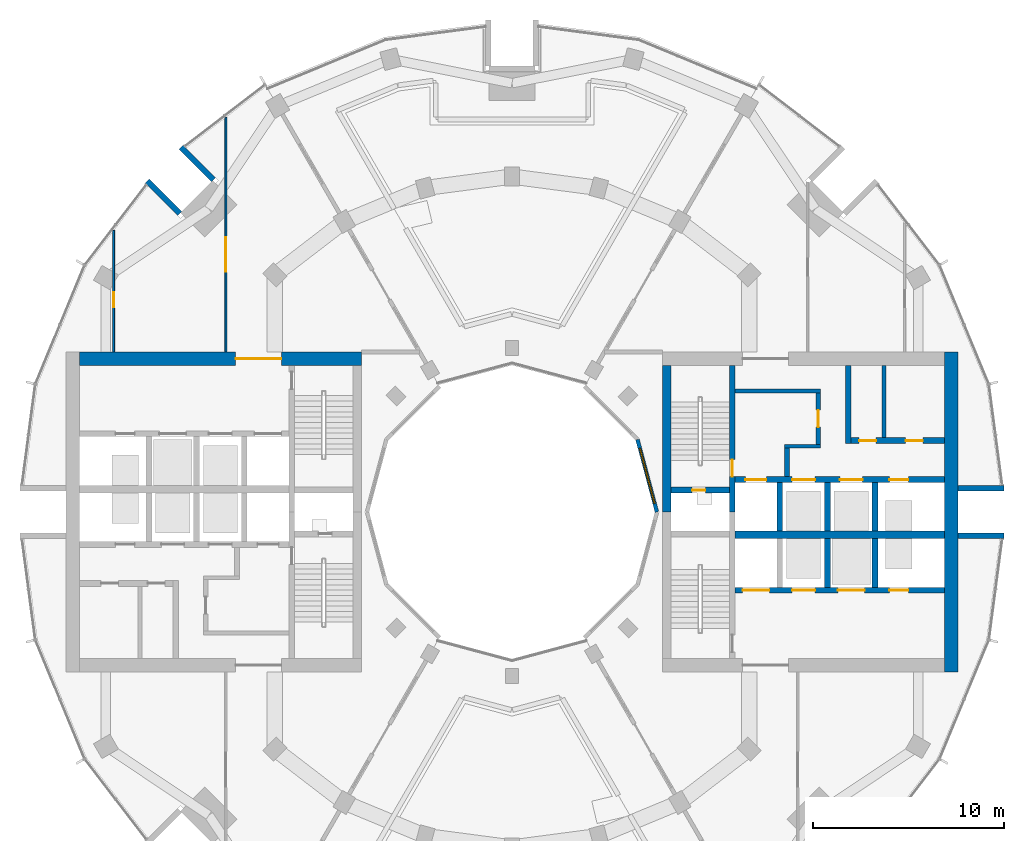
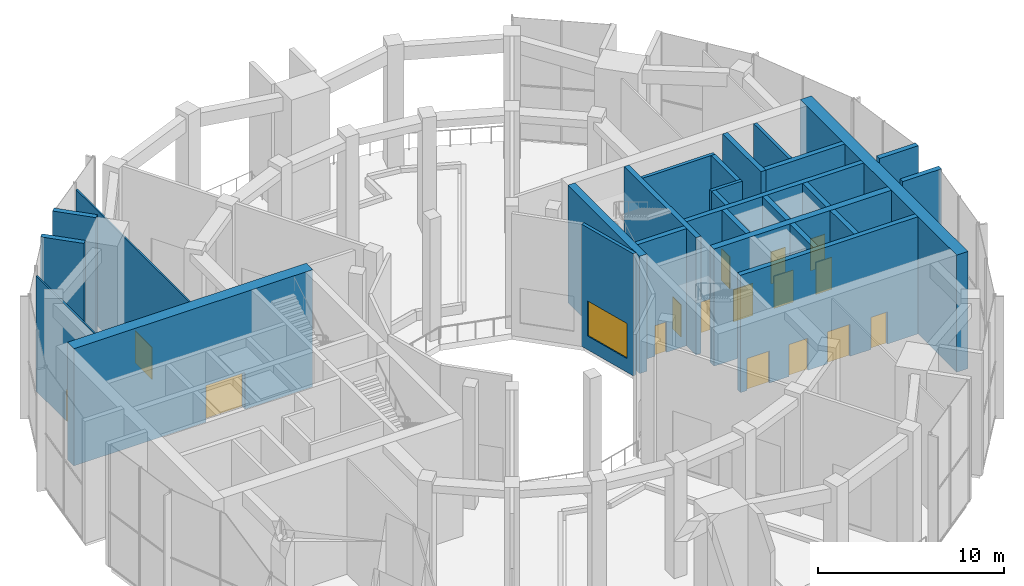
# One storey, part 13 of 18: 27 walls, 16 doors, 1 window, 17 openings.
"""IFC4 building model written with IfcOpenShell, lengths in metres."""

from ifc_helpers import new_model, si_unit, direction, frame, frame_2d, origin, place, context, subcontext, project, spatial, rectangle, extrude, material, layer, layer_set, type_object, element, fill, save


model = new_model("IFC4")

# Units and contexts
model_context = context("Model", 3, precision=1e-05, world=origin(), true_north=direction((0.0, 1.0)))
body_context = subcontext(model_context, "Body", "Model", "MODEL_VIEW")
ifc_project = project(units=[si_unit("LENGTHUNIT", "METRE"), si_unit("AREAUNIT", "SQUARE_METRE"), si_unit("VOLUMEUNIT", "CUBIC_METRE"), si_unit("PLANEANGLEUNIT", "RADIAN"), si_unit("MASSUNIT", "GRAM", prefix="KILO")], contexts=[model_context])

# Site, building, storey
site_placement = place(None, origin())
site = spatial("IfcSite", under=ifc_project, at=site_placement, CompositionType="ELEMENT")
building_placement = place(site_placement, origin())
building = spatial("IfcBuilding", under=site, at=building_placement, Name="Torre Brocal", CompositionType="ELEMENT")
storey_placement = place(building_placement, frame((0.0, 0.0, 149.699951171875)))
storey = spatial("IfcBuildingStorey", under=building, at=storey_placement, Name="L35", CompositionType="ELEMENT", Elevation=149.699951171875)

# Walls
ifc_material_1 = material(Name="Masonry block", Category="masonry")
ifc_layer_1 = layer(ifc_material_1, 0.199951171875)
ifc_layer_set_1 = layer_set([ifc_layer_1], Name="Masonry block")
wall_type_1 = type_object("IfcWallType", Name="CORE PARTITION 200", PredefinedType="PARTITIONING", material=ifc_layer_set_1)
wall_1_placement = place(storey_placement, frame((99.514892578125, 78.89990234375, 0.0), z_axis=(0.0, 0.0, 1.0), x_axis=(0.0, 1.0, 0.0)))
element("IfcWall", 1, at=wall_1_placement, inside=storey, type_object=wall_type_1, Name="Wall CP200", PredefinedType="PARTITIONING", context=body_context, shape_type="SweptSolid", body=[
    extrude(rectangle(XDim=3.800048828125, YDim=0.199951171875, at=frame_2d((1.89990234375, 0.0))), origin(), (0.0, 0.0, 1.0), 7.679931640625),
])
ifc_material_2 = material(Name="Concrete C70", Category="concrete")
ifc_layer_2 = layer(ifc_material_2, 0.199951171875)
ifc_layer_set_2 = layer_set([ifc_layer_2], Name="Concrete C70")
wall_type_2 = type_object("IfcWallType", Name="CORE WALL 200 C70", PredefinedType="SHEAR", material=ifc_layer_set_2)
wall_2_placement = place(storey_placement, frame((91.699951171875, 81.35009765625, 0.0), z_axis=(0.0, 0.0, 1.0), x_axis=(1.0, 0.0, 0.0)))
element("IfcWall", 2, at=wall_2_placement, inside=storey, type_object=wall_type_2, Name="Wall CW200-70", PredefinedType="SHEAR", context=body_context, shape_type="SweptSolid", body=[
    extrude(rectangle(XDim=4.5, YDim=0.199951171875, at=frame_2d((2.25, 0.0))), origin(), (0.0, 0.0, 1.0), 7.679931640625),
])
wall_3_placement = place(storey_placement, frame((94.300048828125, 78.449951171875, 0.0), z_axis=(0.0, 0.0, 1.0), x_axis=(1.0, 0.0, 0.0)))
element("IfcWall", 3, at=wall_3_placement, inside=storey, type_object=wall_type_2, Name="Wall CW200-70", PredefinedType="SHEAR", context=body_context, shape_type="SweptSolid", body=[
    extrude(rectangle(XDim=1.89990234375, YDim=0.199951171875, at=frame_2d((0.949951171875, 0.0))), origin(), (0.0, 0.0, 1.0), 7.679931640625),
])

# Wall, opening, door
ifc_material_3 = material(Name="Concrete C70", Category="concrete")
ifc_layer_3 = layer(ifc_material_3, 0.25)
ifc_layer_set_3 = layer_set([ifc_layer_3], Name="Concrete C70")
wall_type_3 = type_object("IfcWallType", Name="CORE WALL 250 C70", PredefinedType="SHEAR", material=ifc_layer_set_3)
wall_4_placement = place(storey_placement, frame((96.074951171875, 78.550048828125, 0.0), z_axis=(0.0, 0.0, 1.0), x_axis=(0.0, 1.0, 0.0)))
wall_4 = element("IfcWall", 4, at=wall_4_placement, inside=storey, type_object=wall_type_3, Name="Wall CW250-70", PredefinedType="SHEAR", context=body_context, shape_type="SweptSolid", body=[
    extrude(rectangle(XDim=2.699951171875, YDim=0.25, at=frame_2d((1.35009765625, 0.0))), origin(), (0.0, 0.0, 1.0), 7.679931640625),
])
opening_1_placement = place(wall_4_placement, frame((0.89990234375, 0.0, 0.0)))
opening_1 = element("IfcOpeningElement", 5, at=opening_1_placement, cuts=wall_4, Name="Opening E-D15", PredefinedType="OPENING", context=body_context, shape_type="SweptSolid", body=[
    extrude(rectangle(XDim=0.89990234375, YDim=2.10009765625, at=frame_2d((0.449951171875, 1.050048828125))), frame((0.0, 0.135009765625, 0.0), z_axis=(0.0, -1.0, 0.0), x_axis=(1.0, 0.0, 0.0)), (0.0, 0.0, 1.0), 0.27001953125),
])
ifc_material_4 = material(Name="Steel A653", Category="steel")
door_type_1 = type_object("IfcDoorType", Name="LOBBY DOOR FD120 900X2100", OperationType="SINGLE_SWING_RIGHT", PredefinedType="DOOR", material=ifc_material_4)
door_1_placement = place(opening_1_placement, origin())
door_1 = element("IfcDoor", 6, at=door_1_placement, inside=storey, type_object=door_type_1, Name="Door E-D15", OperationType="SINGLE_SWING_LEFT", OverallHeight=2.10009765625, OverallWidth=0.89990234375, PredefinedType="DOOR", context=body_context, shape_type="SweptSolid", body=[
    extrude(rectangle(XDim=0.89990234375, YDim=2.10009765625, at=frame_2d((0.449951171875, 1.050048828125))), frame((0.0, 0.02490234375, 0.0), z_axis=(0.0, -1.0, 0.0), x_axis=(1.0, 0.0, 0.0)), (0.0, 0.0, 1.0), 0.050048828125),
])
fill(opening_1, door_1)

# Wall
wall_5_placement = place(storey_placement, frame((94.425048828125, 76.85009765625, 0.0), z_axis=(0.0, 0.0, 1.0), x_axis=(0.0, 1.0, 0.0)))
element("IfcWall", 7, at=wall_5_placement, inside=storey, type_object=wall_type_3, Name="Wall CW250-70", PredefinedType="SHEAR", context=body_context, shape_type="SweptSolid", body=[
    extrude(rectangle(XDim=1.5, YDim=0.25, at=frame_2d((0.75, 0.0))), origin(), (0.0, 0.0, 1.0), 7.679931640625),
])

# Wall, opening, door
ifc_material_5 = material(Name="Concrete C70", Category="concrete")
ifc_layer_4 = layer(ifc_material_5, 0.300048828125)
ifc_layer_set_4 = layer_set([ifc_layer_4], Name="Concrete C70")
wall_type_4 = type_object("IfcWallType", Name="CORE WALL 300 C70", PredefinedType="SHEAR", material=ifc_layer_set_4)
wall_6_placement = place(storey_placement, frame((91.550048828125, 75.0, 0.0), z_axis=(0.0, 0.0, 1.0), x_axis=(0.0, 1.0, 0.0)))
wall_6 = element("IfcWall", 8, at=wall_6_placement, inside=storey, type_object=wall_type_4, Name="Wall CW300-70", PredefinedType="SHEAR", context=body_context, shape_type="SweptSolid", body=[
    extrude(rectangle(XDim=7.699951171875, YDim=0.300048828125, at=frame_2d((3.85009765625, 0.0))), origin(), (0.0, 0.0, 1.0), 7.679931640625),
])
opening_2_placement = place(wall_6_placement, frame((1.85009765625, 0.0, 0.0)))
opening_2 = element("IfcOpeningElement", 9, at=opening_2_placement, cuts=wall_6, Name="Opening E-D02", PredefinedType="OPENING", context=body_context, shape_type="SweptSolid", body=[
    extrude(rectangle(XDim=0.89990234375, YDim=2.10009765625, at=frame_2d((0.449951171875, 1.050048828125))), frame((0.0, 0.159912109375, 0.0), z_axis=(0.0, -1.0, 0.0), x_axis=(1.0, 0.0, 0.0)), (0.0, 0.0, 1.0), 0.320068359375),
])
ifc_material_6 = material(Name="Steel A653", Category="steel")
door_type_2 = type_object("IfcDoorType", Name="STAIR DOOR FD120 900X2100", OperationType="SINGLE_SWING_RIGHT", PredefinedType="DOOR", material=ifc_material_6)
door_2_placement = place(opening_2_placement, origin())
door_2 = element("IfcDoor", 10, at=door_2_placement, inside=storey, type_object=door_type_2, Name="Door E-D02", OperationType="SINGLE_SWING_LEFT", OverallHeight=2.10009765625, OverallWidth=0.89990234375, PredefinedType="DOOR", context=body_context, shape_type="SweptSolid", body=[
    extrude(rectangle(XDim=0.89990234375, YDim=2.10009765625, at=frame_2d((0.449951171875, 1.050048828125))), frame((0.0, 0.02490234375, 0.0), z_axis=(0.0, -1.0, 0.0), x_axis=(1.0, 0.0, 0.0)), (0.0, 0.0, 1.0), 0.050048828125),
])
fill(opening_2, door_2)

wall_7_placement = place(storey_placement, frame((88.35009765625, 76.14990234375, 0.0), z_axis=(0.0, 0.0, 1.0), x_axis=(1.0, 0.0, 0.0)))
wall_7 = element("IfcWall", 11, at=wall_7_placement, inside=storey, type_object=wall_type_4, Name="Wall CW300-70", PredefinedType="SHEAR", context=body_context, shape_type="SweptSolid", body=[
    extrude(rectangle(XDim=3.0498046875, YDim=0.300048828125, at=frame_2d((1.52490234375, 0.0))), origin(), (0.0, 0.0, 1.0), 7.679931640625),
])
opening_3_placement = place(wall_7_placement, frame((1.10009765625, 0.0, 0.0)))
opening_3 = element("IfcOpeningElement", 12, at=opening_3_placement, cuts=wall_7, Name="Opening E-D01", PredefinedType="OPENING", context=body_context, shape_type="SweptSolid", body=[
    extrude(rectangle(XDim=0.699951171875, YDim=2.0, at=frame_2d((0.35009765625, 1.0))), frame((0.0, 0.159912109375, 0.0), z_axis=(0.0, -1.0, 0.0), x_axis=(1.0, 0.0, 0.0)), (0.0, 0.0, 1.0), 0.320068359375),
])
ifc_material_7 = material(Name="Steel A653", Category="steel")
door_type_3 = type_object("IfcDoorType", Name="RISER DOOR FD120 700X2000", OperationType="SINGLE_SWING_LEFT", PredefinedType="DOOR", material=ifc_material_7)
door_3_placement = place(opening_3_placement, frame((0.699951171875, 0.0, 0.0), z_axis=(0.0, 0.0, 1.0), x_axis=(-1.0, 0.0, 0.0)))
door_3 = element("IfcDoor", 13, at=door_3_placement, inside=storey, type_object=door_type_3, Name="Door E-D01", OperationType="SINGLE_SWING_RIGHT", OverallHeight=2.0, OverallWidth=0.699951171875, PredefinedType="DOOR", context=body_context, shape_type="SweptSolid", body=[
    extrude(rectangle(XDim=0.699951171875, YDim=2.0, at=frame_2d((0.35009765625, 1.0))), frame((0.0, 0.02490234375, 0.0), z_axis=(0.0, -1.0, 0.0), x_axis=(1.0, 0.0, 0.0)), (0.0, 0.0, 1.0), 0.050048828125),
])
fill(opening_3, door_3)

# Wall, openings, doors
wall_8_placement = place(storey_placement, frame((91.699951171875, 76.699951171875, 0.0), z_axis=(0.0, 0.0, 1.0), x_axis=(1.0, 0.0, 0.0)))
wall_8 = element("IfcWall", 14, at=wall_8_placement, inside=storey, type_object=wall_type_4, Name="Wall CW300-70", PredefinedType="SHEAR", context=body_context, shape_type="SweptSolid", body=[
    extrude(rectangle(XDim=11.0, YDim=0.300048828125, at=frame_2d((5.5, 0.0))), origin(), (0.0, 0.0, 1.0), 7.679931640625),
])
opening_4_placement = place(wall_8_placement, frame((0.550048828125, 0.0, 0.0)))
opening_4 = element("IfcOpeningElement", 15, at=opening_4_placement, cuts=wall_8, Name="Opening LD", PredefinedType="OPENING", context=body_context, shape_type="SweptSolid", body=[
    extrude(rectangle(XDim=1.10009765625, YDim=2.10009765625, at=frame_2d((0.550048828125, 1.050048828125))), frame((0.0, 0.159912109375, 0.0), z_axis=(0.0, -1.0, 0.0), x_axis=(1.0, 0.0, 0.0)), (0.0, 0.0, 1.0), 0.320068359375),
])
opening_5_placement = place(wall_8_placement, frame((3.0, 0.0, 0.0)))
opening_5 = element("IfcOpeningElement", 16, at=opening_5_placement, cuts=wall_8, Name="Opening LD12", PredefinedType="OPENING", context=body_context, shape_type="SweptSolid", body=[
    extrude(rectangle(XDim=1.199951171875, YDim=2.10009765625, at=frame_2d((0.60009765625, 1.050048828125))), frame((0.0, 0.159912109375, 0.0), z_axis=(0.0, -1.0, 0.0), x_axis=(1.0, 0.0, 0.0)), (0.0, 0.0, 1.0), 0.320068359375),
])
opening_6_placement = place(wall_8_placement, frame((5.5, 0.0, 0.0)))
opening_6 = element("IfcOpeningElement", 17, at=opening_6_placement, cuts=wall_8, Name="Opening LD12", PredefinedType="OPENING", context=body_context, shape_type="SweptSolid", body=[
    extrude(rectangle(XDim=1.199951171875, YDim=2.10009765625, at=frame_2d((0.60009765625, 1.050048828125))), frame((0.0, 0.159912109375, 0.0), z_axis=(0.0, -1.0, 0.0), x_axis=(1.0, 0.0, 0.0)), (0.0, 0.0, 1.0), 0.320068359375),
])
opening_7_placement = place(wall_8_placement, frame((8.10009765625, 0.0, 0.0)))
opening_7 = element("IfcOpeningElement", 18, at=opening_7_placement, cuts=wall_8, Name="Opening LD10", PredefinedType="OPENING", context=body_context, shape_type="SweptSolid", body=[
    extrude(rectangle(XDim=1.0, YDim=2.10009765625, at=frame_2d((0.5, 1.050048828125))), frame((0.0, 0.159912109375, 0.0), z_axis=(0.0, -1.0, 0.0), x_axis=(1.0, 0.0, 0.0)), (0.0, 0.0, 1.0), 0.320068359375),
])
ifc_material_8 = material(Name="Stainless steel AISI 316", Category="steel")
door_type_4 = type_object("IfcDoorType", Name="LIFT LANDING DOOR 1000X2100", OperationType="DOUBLE_DOOR_SLIDING", PredefinedType="DOOR", material=ifc_material_8)
door_4_placement = place(opening_7_placement, origin())
door_4 = element("IfcDoor", 19, at=door_4_placement, inside=storey, type_object=door_type_4, Name="Door LD10", OperationType="DOUBLE_DOOR_SLIDING", OverallHeight=2.10009765625, OverallWidth=1.0, PredefinedType="DOOR", context=body_context, shape_type="SweptSolid", body=[
    extrude(rectangle(XDim=1.0, YDim=2.10009765625, at=frame_2d((0.5, 1.050048828125))), frame((0.0, 0.02490234375, 0.0), z_axis=(0.0, -1.0, 0.0), x_axis=(1.0, 0.0, 0.0)), (0.0, 0.0, 1.0), 0.050048828125),
])
fill(opening_7, door_4)
ifc_material_9 = material(Name="Stainless steel AISI 316", Category="steel")
door_type_5 = type_object("IfcDoorType", Name="LIFT LANDING DOOR 1100X2100", OperationType="DOUBLE_DOOR_SLIDING", PredefinedType="DOOR", material=ifc_material_9)
door_5_placement = place(opening_4_placement, origin())
door_5 = element("IfcDoor", 20, at=door_5_placement, inside=storey, type_object=door_type_5, Name="Door LD", OperationType="DOUBLE_DOOR_SLIDING", OverallHeight=2.10009765625, OverallWidth=1.10009765625, PredefinedType="DOOR", context=body_context, shape_type="SweptSolid", body=[
    extrude(rectangle(XDim=1.10009765625, YDim=2.10009765625, at=frame_2d((0.550048828125, 1.050048828125))), frame((0.0, 0.02490234375, 0.0), z_axis=(0.0, -1.0, 0.0), x_axis=(1.0, 0.0, 0.0)), (0.0, 0.0, 1.0), 0.050048828125),
])
fill(opening_4, door_5)
ifc_material_10 = material(Name="Stainless steel AISI 316", Category="steel")
door_type_6 = type_object("IfcDoorType", Name="LIFT LANDING DOOR 1200X2100", OperationType="DOUBLE_DOOR_SLIDING", PredefinedType="DOOR", material=ifc_material_10)
door_6_placement = place(opening_5_placement, origin())
door_6 = element("IfcDoor", 21, at=door_6_placement, inside=storey, type_object=door_type_6, Name="Door LD12", OperationType="DOUBLE_DOOR_SLIDING", OverallHeight=2.10009765625, OverallWidth=1.199951171875, PredefinedType="DOOR", context=body_context, shape_type="SweptSolid", body=[
    extrude(rectangle(XDim=1.199951171875, YDim=2.10009765625, at=frame_2d((0.60009765625, 1.050048828125))), frame((0.0, 0.02490234375, 0.0), z_axis=(0.0, -1.0, 0.0), x_axis=(1.0, 0.0, 0.0)), (0.0, 0.0, 1.0), 0.050048828125),
])
fill(opening_5, door_6)
door_7_placement = place(opening_6_placement, origin())
door_7 = element("IfcDoor", 22, at=door_7_placement, inside=storey, type_object=door_type_6, Name="Door LD12", OperationType="DOUBLE_DOOR_SLIDING", OverallHeight=2.10009765625, OverallWidth=1.199951171875, PredefinedType="DOOR", context=body_context, shape_type="SweptSolid", body=[
    extrude(rectangle(XDim=1.199951171875, YDim=2.10009765625, at=frame_2d((0.60009765625, 1.050048828125))), frame((0.0, 0.02490234375, 0.0), z_axis=(0.0, -1.0, 0.0), x_axis=(1.0, 0.0, 0.0)), (0.0, 0.0, 1.0), 0.050048828125),
])
fill(opening_6, door_7)

wall_9_placement = place(storey_placement, frame((91.699951171875, 70.89990234375, 0.0), z_axis=(0.0, 0.0, 1.0), x_axis=(1.0, 0.0, 0.0)))
wall_9 = element("IfcWall", 23, at=wall_9_placement, inside=storey, type_object=wall_type_4, Name="Wall CW300-70", PredefinedType="SHEAR", context=body_context, shape_type="SweptSolid", body=[
    extrude(rectangle(XDim=11.0, YDim=0.300048828125, at=frame_2d((5.5, 0.0))), origin(), (0.0, 0.0, 1.0), 7.679931640625),
])
opening_8_placement = place(wall_9_placement, frame((0.39990234375, 0.0, 0.0)))
opening_8 = element("IfcOpeningElement", 24, at=opening_8_placement, cuts=wall_9, Name="Opening LD14", PredefinedType="OPENING", context=body_context, shape_type="SweptSolid", body=[
    extrude(rectangle(XDim=1.39990234375, YDim=2.10009765625, at=frame_2d((0.699951171875, 1.050048828125))), frame((0.0, 0.159912109375, 0.0), z_axis=(0.0, -1.0, 0.0), x_axis=(1.0, 0.0, 0.0)), (0.0, 0.0, 1.0), 0.320068359375),
])
opening_9_placement = place(wall_9_placement, frame((3.0, 0.0, 0.0)))
opening_9 = element("IfcOpeningElement", 25, at=opening_9_placement, cuts=wall_9, Name="Opening LD12", PredefinedType="OPENING", context=body_context, shape_type="SweptSolid", body=[
    extrude(rectangle(XDim=1.199951171875, YDim=2.10009765625, at=frame_2d((0.60009765625, 1.050048828125))), frame((0.0, 0.159912109375, 0.0), z_axis=(0.0, -1.0, 0.0), x_axis=(1.0, 0.0, 0.0)), (0.0, 0.0, 1.0), 0.320068359375),
])
opening_10_placement = place(wall_9_placement, frame((5.39990234375, 0.0, 0.0)))
opening_10 = element("IfcOpeningElement", 26, at=opening_10_placement, cuts=wall_9, Name="Opening LD14", PredefinedType="OPENING", context=body_context, shape_type="SweptSolid", body=[
    extrude(rectangle(XDim=1.39990234375, YDim=2.10009765625, at=frame_2d((0.699951171875, 1.050048828125))), frame((0.0, 0.159912109375, 0.0), z_axis=(0.0, -1.0, 0.0), x_axis=(1.0, 0.0, 0.0)), (0.0, 0.0, 1.0), 0.320068359375),
])
opening_11_placement = place(wall_9_placement, frame((8.10009765625, 0.0, 0.0)))
opening_11 = element("IfcOpeningElement", 27, at=opening_11_placement, cuts=wall_9, Name="Opening LD10", PredefinedType="OPENING", context=body_context, shape_type="SweptSolid", body=[
    extrude(rectangle(XDim=1.0, YDim=2.10009765625, at=frame_2d((0.5, 1.050048828125))), frame((0.0, 0.159912109375, 0.0), z_axis=(0.0, -1.0, 0.0), x_axis=(1.0, 0.0, 0.0)), (0.0, 0.0, 1.0), 0.320068359375),
])
door_8_placement = place(opening_11_placement, origin())
door_8 = element("IfcDoor", 28, at=door_8_placement, inside=storey, type_object=door_type_4, Name="Door LD10", OperationType="DOUBLE_DOOR_SLIDING", OverallHeight=2.10009765625, OverallWidth=1.0, PredefinedType="DOOR", context=body_context, shape_type="SweptSolid", body=[
    extrude(rectangle(XDim=1.0, YDim=2.10009765625, at=frame_2d((0.5, 1.050048828125))), frame((0.0, 0.02490234375, 0.0), z_axis=(0.0, -1.0, 0.0), x_axis=(1.0, 0.0, 0.0)), (0.0, 0.0, 1.0), 0.050048828125),
])
fill(opening_11, door_8)
door_9_placement = place(opening_9_placement, origin())
door_9 = element("IfcDoor", 29, at=door_9_placement, inside=storey, type_object=door_type_6, Name="Door LD12", OperationType="DOUBLE_DOOR_SLIDING", OverallHeight=2.10009765625, OverallWidth=1.199951171875, PredefinedType="DOOR", context=body_context, shape_type="SweptSolid", body=[
    extrude(rectangle(XDim=1.199951171875, YDim=2.10009765625, at=frame_2d((0.60009765625, 1.050048828125))), frame((0.0, 0.02490234375, 0.0), z_axis=(0.0, -1.0, 0.0), x_axis=(1.0, 0.0, 0.0)), (0.0, 0.0, 1.0), 0.050048828125),
])
fill(opening_9, door_9)
ifc_material_11 = material(Name="Stainless steel AISI 316", Category="steel")
door_type_7 = type_object("IfcDoorType", Name="LIFT LANDING DOOR 1400X2100", OperationType="DOUBLE_DOOR_SLIDING", PredefinedType="DOOR", material=ifc_material_11)
door_10_placement = place(opening_8_placement, origin())
door_10 = element("IfcDoor", 30, at=door_10_placement, inside=storey, type_object=door_type_7, Name="Door LD14", OperationType="DOUBLE_DOOR_SLIDING", OverallHeight=2.10009765625, OverallWidth=1.39990234375, PredefinedType="DOOR", context=body_context, shape_type="SweptSolid", body=[
    extrude(rectangle(XDim=1.39990234375, YDim=2.10009765625, at=frame_2d((0.699951171875, 1.050048828125))), frame((0.0, 0.02490234375, 0.0), z_axis=(0.0, -1.0, 0.0), x_axis=(1.0, 0.0, 0.0)), (0.0, 0.0, 1.0), 0.050048828125),
])
fill(opening_8, door_10)
door_11_placement = place(opening_10_placement, origin())
door_11 = element("IfcDoor", 31, at=door_11_placement, inside=storey, type_object=door_type_7, Name="Door LD14", OperationType="DOUBLE_DOOR_SLIDING", OverallHeight=2.10009765625, OverallWidth=1.39990234375, PredefinedType="DOOR", context=body_context, shape_type="SweptSolid", body=[
    extrude(rectangle(XDim=1.39990234375, YDim=2.10009765625, at=frame_2d((0.699951171875, 1.050048828125))), frame((0.0, 0.02490234375, 0.0), z_axis=(0.0, -1.0, 0.0), x_axis=(1.0, 0.0, 0.0)), (0.0, 0.0, 1.0), 0.050048828125),
])
fill(opening_10, door_11)

# Walls
for number, where, z_axis, x_axis, name in (
    (32, (94.050048828125, 74.0, 0.0), (0.0, 0.0, 1.0), (0.0, 1.0, 0.0), "Wall CW300-70"),
    (33, (96.550048828125, 74.0, 0.0), (0.0, 0.0, 1.0), (0.0, 1.0, 0.0), "Wall CW300-70"),
    (34, (99.050048828125, 74.0, 0.0), (0.0, 0.0, 1.0), (0.0, 1.0, 0.0), "Wall CW300-70"),
    (35, (96.550048828125, 71.050048828125, 0.0), (0.0, 0.0, 1.0), (0.0, 1.0, 0.0), "Wall CW300-70"),
    (36, (99.050048828125, 71.050048828125, 0.0), (0.0, 0.0, 1.0), (0.0, 1.0, 0.0), "Wall CW300-70"),
):
    element("IfcWall", number, at=place(storey_placement, frame(where, z_axis=z_axis, x_axis=x_axis)), inside=storey, type_object=wall_type_4, Name=name, PredefinedType="SHEAR", context=body_context, shape_type="SweptSolid", body=[
        extrude(rectangle(XDim=2.550048828125, YDim=0.300048828125, at=frame_2d((1.27490234375, 0.0))), origin(), (0.0, 0.0, 1.0), 7.679931640625),
    ])
wall_10_placement = place(storey_placement, frame((97.64990234375, 78.60009765625, 0.0), z_axis=(0.0, 0.0, 1.0), x_axis=(0.0, 1.0, 0.0)))
element("IfcWall", 37, at=wall_10_placement, inside=storey, type_object=wall_type_4, Name="Wall CW300-70", PredefinedType="SHEAR", context=body_context, shape_type="SweptSolid", body=[
    extrude(rectangle(XDim=4.099853515625, YDim=0.300048828125, at=frame_2d((2.0498046875, 0.0))), origin(), (0.0, 0.0, 1.0), 7.679931640625),
])

# Wall, openings, doors
wall_11_placement = place(storey_placement, frame((97.800048828125, 78.75, 0.0), z_axis=(0.0, 0.0, 1.0), x_axis=(1.0, 0.0, 0.0)))
wall_11 = element("IfcWall", 38, at=wall_11_placement, inside=storey, type_object=wall_type_4, Name="Wall CW300-70", PredefinedType="SHEAR", context=body_context, shape_type="SweptSolid", body=[
    extrude(rectangle(XDim=4.89990234375, YDim=0.300048828125, at=frame_2d((2.449951171875, 0.0))), origin(), (0.0, 0.0, 1.0), 7.679931640625),
])
opening_12_placement = place(wall_11_placement, frame((0.407470703125, 0.0, 0.0)))
opening_12 = element("IfcOpeningElement", 39, at=opening_12_placement, cuts=wall_11, Name="Opening E-D05", PredefinedType="OPENING", context=body_context, shape_type="SweptSolid", body=[
    extrude(rectangle(XDim=0.89990234375, YDim=2.10009765625, at=frame_2d((0.449951171875, 1.050048828125))), frame((0.0, 0.159912109375, 0.0), z_axis=(0.0, -1.0, 0.0), x_axis=(1.0, 0.0, 0.0)), (0.0, 0.0, 1.0), 0.320068359375),
])
opening_13_placement = place(wall_11_placement, frame((2.857421875, 0.0, 0.0)))
opening_13 = element("IfcOpeningElement", 40, at=opening_13_placement, cuts=wall_11, Name="Opening E-D06", PredefinedType="OPENING", context=body_context, shape_type="SweptSolid", body=[
    extrude(rectangle(XDim=0.89990234375, YDim=2.10009765625, at=frame_2d((0.449951171875, 1.050048828125))), frame((0.0, 0.159912109375, 0.0), z_axis=(0.0, -1.0, 0.0), x_axis=(1.0, 0.0, 0.0)), (0.0, 0.0, 1.0), 0.320068359375),
])
ifc_material_12 = material(Name="Steel A653", Category="steel")
door_type_8 = type_object("IfcDoorType", Name="ROOM DOOR FD30S 900X2100", OperationType="SINGLE_SWING_LEFT", PredefinedType="DOOR", material=ifc_material_12)
door_12_placement = place(opening_12_placement, origin())
door_12 = element("IfcDoor", 41, at=door_12_placement, inside=storey, type_object=door_type_8, Name="Door E-D05", OperationType="SINGLE_SWING_RIGHT", OverallHeight=2.10009765625, OverallWidth=0.89990234375, PredefinedType="DOOR", context=body_context, shape_type="SweptSolid", body=[
    extrude(rectangle(XDim=0.89990234375, YDim=2.10009765625, at=frame_2d((0.449951171875, 1.050048828125))), frame((0.0, 0.02490234375, 0.0), z_axis=(0.0, -1.0, 0.0), x_axis=(1.0, 0.0, 0.0)), (0.0, 0.0, 1.0), 0.050048828125),
])
fill(opening_12, door_12)
door_13_placement = place(opening_13_placement, origin())
door_13 = element("IfcDoor", 42, at=door_13_placement, inside=storey, type_object=door_type_8, Name="Door E-D06", OperationType="SINGLE_SWING_LEFT", OverallHeight=2.10009765625, OverallWidth=0.89990234375, PredefinedType="DOOR", context=body_context, shape_type="SweptSolid", body=[
    extrude(rectangle(XDim=0.89990234375, YDim=2.10009765625, at=frame_2d((0.449951171875, 1.050048828125))), frame((0.0, 0.02490234375, 0.0), z_axis=(0.0, -1.0, 0.0), x_axis=(1.0, 0.0, 0.0)), (0.0, 0.0, 1.0), 0.050048828125),
])
fill(opening_13, door_13)

# Walls
ifc_material_13 = material(Name="Concrete C70", Category="concrete")
ifc_layer_5 = layer(ifc_material_13, 0.39990234375)
ifc_layer_set_5 = layer_set([ifc_layer_5], Name="Concrete C70")
wall_type_5 = type_object("IfcWallType", Name="CORE WALL 400 C70", PredefinedType="SHEAR", material=ifc_layer_set_5)
wall_12_placement = place(storey_placement, frame((91.699951171875, 73.800048828125, 0.0), z_axis=(0.0, 0.0, 1.0), x_axis=(1.0, 0.0, 0.0)))
element("IfcWall", 43, at=wall_12_placement, inside=storey, type_object=wall_type_5, Name="Wall CW400-70", PredefinedType="SHEAR", context=body_context, shape_type="SweptSolid", body=[
    extrude(rectangle(XDim=11.0, YDim=0.39990234375, at=frame_2d((5.5, 0.0))), origin(), (0.0, 0.0, 1.0), 7.679931640625),
])
ifc_material_14 = material(Name="Concrete C70", Category="concrete")
ifc_layer_6 = layer(ifc_material_14, 0.449951171875)
ifc_layer_set_6 = layer_set([ifc_layer_6], Name="Concrete C70")
wall_type_6 = type_object("IfcWallType", Name="CORE WALL 450 C70", PredefinedType="SHEAR", material=ifc_layer_set_6)
wall_13_placement = place(storey_placement, frame((88.125, 75.0, 0.0), z_axis=(0.0, 0.0, 1.0), x_axis=(0.0, 1.0, 0.0)))
element("IfcWall", 44, at=wall_13_placement, inside=storey, type_object=wall_type_6, Name="Wall CW450-70", PredefinedType="SHEAR", context=body_context, shape_type="SweptSolid", body=[
    extrude(rectangle(XDim=7.699951171875, YDim=0.449951171875, at=frame_2d((3.85009765625, 0.0))), origin(), (0.0, 0.0, 1.0), 7.679931640625),
])
ifc_material_15 = material(Name="Concrete C70", Category="concrete")
ifc_layer_7 = layer(ifc_material_15, 0.699951171875)
ifc_layer_set_7 = layer_set([ifc_layer_7], Name="Concrete C70")
wall_type_7 = type_object("IfcWallType", Name="CORE WALL 700 C70", PredefinedType="SHEAR", material=ifc_layer_set_7)
wall_14_placement = place(storey_placement, frame((103.050048828125, 66.60009765625, 0.0), z_axis=(0.0, 0.0, 1.0), x_axis=(0.0, 1.0, 0.0)))
element("IfcWall", 45, at=wall_14_placement, inside=storey, type_object=wall_type_7, Name="Wall CW700-70", PredefinedType="SHEAR", context=body_context, shape_type="SweptSolid", body=[
    extrude(rectangle(XDim=16.7998046875, YDim=0.699951171875, at=frame_2d((8.39990234375, 0.0))), origin(), (0.0, 0.0, 1.0), 7.679931640625),
])

# Wall, opening, door
wall_15_placement = place(storey_placement, frame((72.10009765625, 83.050048828125, 0.0), z_axis=(0.0, 0.0, 1.0), x_axis=(-1.0, 0.0, 0.0)))
wall_15 = element("IfcWall", 46, at=wall_15_placement, inside=storey, type_object=wall_type_7, Name="Wall CW700-70", PredefinedType="SHEAR", context=body_context, shape_type="SweptSolid", body=[
    extrude(rectangle(XDim=14.800048828125, YDim=0.699951171875, at=frame_2d((7.39990234375, 0.0))), origin(), (0.0, 0.0, 1.0), 7.679931640625),
])
opening_14_placement = place(wall_15_placement, frame((4.199951171875, 0.0, 0.0)))
opening_14 = element("IfcOpeningElement", 47, at=opening_14_placement, cuts=wall_15, Name="Opening W-D27", PredefinedType="OPENING", context=body_context, shape_type="SweptSolid", body=[
    extrude(rectangle(XDim=2.39990234375, YDim=2.39990234375, at=frame_2d((1.199951171875, 1.199951171875))), frame((0.0, 0.35986328125, 0.0), z_axis=(0.0, -1.0, 0.0), x_axis=(1.0, 0.0, 0.0)), (0.0, 0.0, 1.0), 0.719970703125),
])
ifc_material_16 = material(Name="Steel A653", Category="steel")
door_type_9 = type_object("IfcDoorType", Name="DOUBLE FIRE DOOR FD90 2400X2400", OperationType="DOUBLE_DOOR_SINGLE_SWING", PredefinedType="DOOR", material=ifc_material_16)
door_14_placement = place(opening_14_placement, frame((2.39990234375, 0.0, 0.0), z_axis=(0.0, 0.0, 1.0), x_axis=(-1.0, 0.0, 0.0)))
door_14 = element("IfcDoor", 48, at=door_14_placement, inside=storey, type_object=door_type_9, Name="Door W-D27", OperationType="DOUBLE_DOOR_SINGLE_SWING", OverallHeight=2.39990234375, OverallWidth=2.39990234375, PredefinedType="DOOR", context=body_context, shape_type="SweptSolid", body=[
    extrude(rectangle(XDim=2.39990234375, YDim=2.39990234375, at=frame_2d((1.199951171875, 1.199951171875))), frame((0.0, 0.02490234375, 0.0), z_axis=(0.0, -1.0, 0.0), x_axis=(1.0, 0.0, 0.0)), (0.0, 0.0, 1.0), 0.050048828125),
])
fill(opening_14, door_14)

# Walls
ifc_material_17 = material(Name="Concrete C70", Category="concrete")
ifc_layer_8 = layer(ifc_material_17, 0.300048828125)
ifc_layer_set_8 = layer_set([ifc_layer_8], Name="Concrete C70")
wall_type_8 = type_object("IfcWallType", Name="NOTCH RETURN WALL 300 C70", PredefinedType="NOTDEFINED", material=ifc_layer_set_8)
for number, where, z_axis, x_axis, name in (
    (49, (103.39990234375, 73.75, 0.0), (0.0, 0.0, 1.0), (1.0, 0.0, 0.0), "NOTCH RETURN WALL"),
    (50, (103.39990234375, 76.25, 0.0), (0.0, 0.0, 1.0), (1.0, 0.0, 0.0), "NOTCH RETURN WALL"),
    (51, (64.337646484375, 92.43017578125, 0.0), (0.0, 0.0, 1.0), (-0.707106781187, 0.707106781187, 0.0), "NOTCH RETURN WALL"),
    (52, (62.56982421875, 90.662353515625, 0.0), (0.0, 0.0, 1.0), (-0.707106781187, 0.707106781187, 0.0), "NOTCH RETURN WALL"),
):
    element("IfcWall", number, at=place(storey_placement, frame(where, z_axis=z_axis, x_axis=x_axis)), inside=storey, type_object=wall_type_8, Name=name, PredefinedType="NOTDEFINED", context=body_context, shape_type="SweptSolid", body=[
        extrude(rectangle(XDim=2.415771484375, YDim=0.300048828125, at=frame_2d((1.2080078125, 0.0))), origin(), (0.0, 0.0, 1.0), 8.0),
    ])

# Wall, opening, door
ifc_material_18 = material(Name="Gypsum board", Category="Gypsum")
ifc_layer_9 = layer(ifc_material_18, 0.10009765625)
ifc_layer_set_9 = layer_set([ifc_layer_9], Name="Gypsum board")
wall_type_9 = type_object("IfcWallType", Name="PARTITION 100", PredefinedType="PARTITIONING", material=ifc_layer_set_9)
wall_16_placement = place(storey_placement, frame((59.094970703125, 83.39990234375, 0.0), z_axis=(0.0, 0.0, 1.0), x_axis=(0.0, 1.0, 0.0)))
wall_16 = element("IfcWall", 53, at=wall_16_placement, inside=storey, type_object=wall_type_9, Name="BATHROOM WALL", PredefinedType="PARTITIONING", context=body_context, shape_type="SweptSolid", body=[
    extrude(rectangle(XDim=6.37109375, YDim=0.10009765625, at=frame_2d((3.185546875, 0.0))), origin(), (0.0, 0.0, 1.0), 7.550048828125),
])
opening_15_placement = place(wall_16_placement, frame((2.33544921875, 0.0, 0.0)))
opening_15 = element("IfcOpeningElement", 54, at=opening_15_placement, cuts=wall_16, Name="Opening SL2-D05", PredefinedType="OPENING", context=body_context, shape_type="SweptSolid", body=[
    extrude(rectangle(XDim=0.800048828125, YDim=2.10009765625, at=frame_2d((0.39990234375, 1.050048828125))), frame((0.0, 0.06005859375, 0.0), z_axis=(0.0, -1.0, 0.0), x_axis=(1.0, 0.0, 0.0)), (0.0, 0.0, 1.0), 0.1201171875),
])
ifc_material_19 = material(Name="Timber", Category="wood")
door_type_10 = type_object("IfcDoorType", Name="BATHROOM DOOR 800X2100", OperationType="SINGLE_SWING_LEFT", PredefinedType="DOOR", material=ifc_material_19)
door_15_placement = place(opening_15_placement, origin())
door_15 = element("IfcDoor", 55, at=door_15_placement, inside=storey, type_object=door_type_10, Name="SL2-D05", OperationType="SINGLE_SWING_LEFT", OverallHeight=2.10009765625, OverallWidth=0.800048828125, PredefinedType="DOOR", context=body_context, shape_type="SweptSolid", body=[
    extrude(rectangle(XDim=0.800048828125, YDim=2.10009765625, at=frame_2d((0.39990234375, 1.050048828125))), frame((0.0, 0.02490234375, 0.0), z_axis=(0.0, -1.0, 0.0), x_axis=(1.0, 0.0, 0.0)), (0.0, 0.0, 1.0), 0.050048828125),
])
fill(opening_15, door_15)

wall_17_placement = place(storey_placement, frame((64.988037109375, 83.39990234375, 0.0), z_axis=(0.0, 0.0, 1.0), x_axis=(0.0, 1.0, 0.0)))
wall_17 = element("IfcWall", 56, at=wall_17_placement, inside=storey, type_object=wall_type_9, Name="ROOM PARTITION", PredefinedType="PARTITIONING", context=body_context, shape_type="SweptSolid", body=[
    extrude(rectangle(XDim=12.31201171875, YDim=0.10009765625, at=frame_2d((6.156005859375, 0.0))), origin(), (0.0, 0.0, 1.0), 7.550048828125),
])
opening_16_placement = place(wall_17_placement, frame((4.21240234375, 0.0, 0.0)))
opening_16 = element("IfcOpeningElement", 57, at=opening_16_placement, cuts=wall_17, Name="Opening SL2-D04", PredefinedType="OPENING", context=body_context, shape_type="SweptSolid", body=[
    extrude(rectangle(XDim=1.800048828125, YDim=2.10009765625, at=frame_2d((0.89990234375, 1.050048828125))), frame((0.0, 0.06005859375, 0.0), z_axis=(0.0, -1.0, 0.0), x_axis=(1.0, 0.0, 0.0)), (0.0, 0.0, 1.0), 0.1201171875),
])
ifc_material_20 = material(Name="Timber", Category="wood")
door_type_11 = type_object("IfcDoorType", Name="DOUBLE DOOR 1800X2100", OperationType="DOUBLE_DOOR_SINGLE_SWING", PredefinedType="DOOR", material=ifc_material_20)
door_16_placement = place(opening_16_placement, origin())
door_16 = element("IfcDoor", 58, at=door_16_placement, inside=storey, type_object=door_type_11, Name="SL2-D04", OperationType="DOUBLE_DOOR_SINGLE_SWING", OverallHeight=2.10009765625, OverallWidth=1.800048828125, PredefinedType="DOOR", context=body_context, shape_type="SweptSolid", body=[
    extrude(rectangle(XDim=1.800048828125, YDim=2.10009765625, at=frame_2d((0.89990234375, 1.050048828125))), frame((0.0, 0.02490234375, 0.0), z_axis=(0.0, -1.0, 0.0), x_axis=(1.0, 0.0, 0.0)), (0.0, 0.0, 1.0), 0.050048828125),
])
fill(opening_16, door_16)

# Wall, opening, window
ifc_material_21 = material(Name="Concrete C40", Category="concrete")
ifc_layer_10 = layer(ifc_material_21, 0.199951171875)
ifc_layer_set_10 = layer_set([ifc_layer_10], Name="Concrete C40")
wall_type_10 = type_object("IfcWallType", Name="WELL FACADE WALL 200", PredefinedType="NOTDEFINED", material=ifc_layer_set_10)
wall_18_placement = place(storey_placement, frame((87.603515625, 75.0, 0.0), z_axis=(0.0, 0.0, 1.0), x_axis=(-0.258789828301, 0.965933654434, 0.0)))
wall_18 = element("IfcWall", 59, at=wall_18_placement, inside=storey, type_object=wall_type_10, Name="WELL FACADE WALL", PredefinedType="NOTDEFINED", context=body_context, shape_type="SweptSolid", body=[
    extrude(rectangle(XDim=3.935791015625, YDim=0.199951171875, at=frame_2d((1.9677734375, 0.0))), origin(), (0.0, 0.0, 1.0), 8.0),
])
opening_17_placement = place(wall_18_placement, frame((0.468017578125, 0.0, 0.89990234375)))
opening_17 = element("IfcOpeningElement", 60, at=opening_17_placement, cuts=wall_18, Name="Opening W1", PredefinedType="OPENING", context=body_context, shape_type="SweptSolid", body=[
    extrude(rectangle(XDim=3.0, YDim=2.300048828125, at=frame_2d((1.5, 1.14990234375))), frame((0.0, 0.10986328125, 0.0), z_axis=(0.0, -1.0, 0.0), x_axis=(1.0, 0.0, 0.0)), (0.0, 0.0, 1.0), 0.219970703125),
])
ifc_material_22 = material(Name="Aluminium and glass", Category="aluminium")
window_type = type_object("IfcWindowType", Name="WELL WINDOW 3000X2300", PartitioningType="SINGLE_PANEL", PredefinedType="WINDOW", material=ifc_material_22)
window_placement = place(opening_17_placement, origin())
window = element("IfcWindow", 61, at=window_placement, inside=storey, type_object=window_type, Name="WELL WINDOW 3000X2300", OverallHeight=2.300048828125, OverallWidth=3.0, PartitioningType="SINGLE_PANEL", PredefinedType="WINDOW", context=body_context, shape_type="SweptSolid", body=[
    extrude(rectangle(XDim=3.0, YDim=2.300048828125, at=frame_2d((1.5, 1.14990234375))), frame((0.0, 0.030029296875, 0.0), z_axis=(0.0, -1.0, 0.0), x_axis=(1.0, 0.0, 0.0)), (0.0, 0.0, 1.0), 0.06005859375),
])
fill(opening_17, window)

save(model, "model.ifc")
